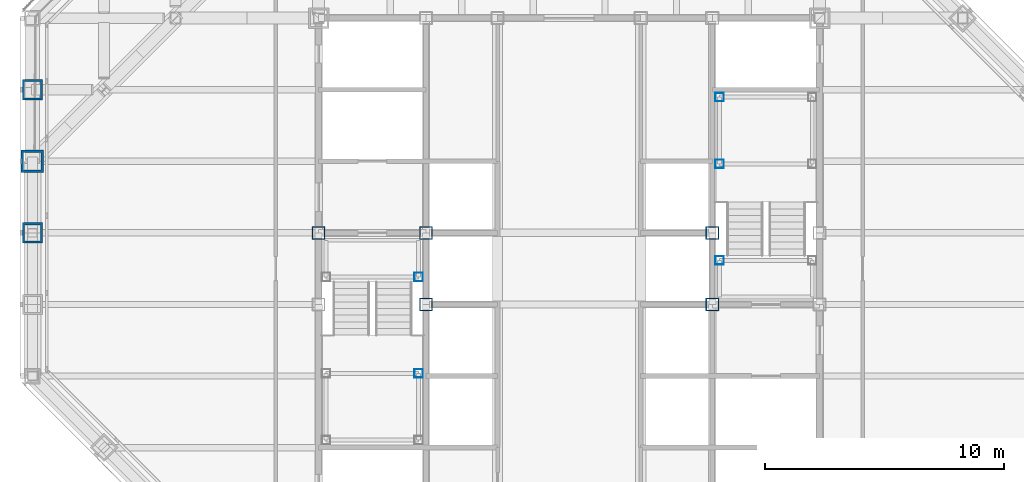
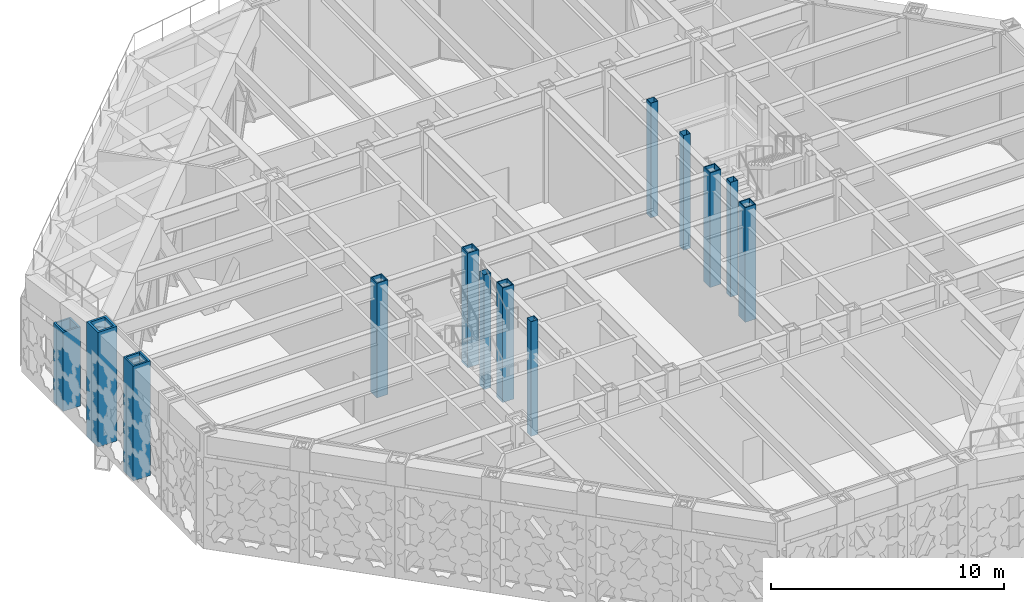
# One storey, part 2 of 29: 13 columns.
"""IFC4 building model written with IfcOpenShell, lengths in metres."""

from ifc_helpers import new_model, si_unit, direction, frame, origin, origin_2d, place, context, subcontext, project, spatial, hollow_rectangle, extrude, material, material_profile, profile_set, type_object, element, save


model = new_model("IFC4")

# Units and contexts
model_context = context("Model", 3, precision=1e-05, world=origin(), true_north=direction((0.0, 1.0)))
body_context = subcontext(model_context, "Body", "Model", "MODEL_VIEW")
ifc_project = project(units=[si_unit("LENGTHUNIT", "METRE"), si_unit("AREAUNIT", "SQUARE_METRE"), si_unit("VOLUMEUNIT", "CUBIC_METRE"), si_unit("PLANEANGLEUNIT", "RADIAN"), si_unit("MASSUNIT", "GRAM", prefix="KILO")], contexts=[model_context])

# Site, building, storey
site_placement = place(None, origin())
site = spatial("IfcSite", under=ifc_project, at=site_placement, CompositionType="ELEMENT")
building_placement = place(site_placement, origin())
building = spatial("IfcBuilding", under=site, at=building_placement, Name="Chuquiago Exchange Tower", CompositionType="ELEMENT")
storey_placement = place(building_placement, frame((0.0, 0.0, 251.699951171875)))
storey = spatial("IfcBuildingStorey", under=building, at=storey_placement, Name="L56", CompositionType="ELEMENT", Elevation=251.699951171875)

# Columns
ifc_material_1 = material(Name="Steel ASTM A572 Grade 50", Category="steel")
ifc_material_profile_1 = material_profile(ifc_material_1, hollow_rectangle(XDim=0.85009765625, YDim=0.85009765625, WallThickness=0.0849609375, at=origin_2d()), Name="BOX850X850X85")
ifc_profile_set_1 = profile_set([ifc_material_profile_1], Name="Steel ASTM A572 Grade 50")
column_type_1 = type_object("IfcColumnType", Name="C6 BOX850X850X85", PredefinedType="COLUMN", material=ifc_profile_set_1)
column_1_placement = place(storey_placement, frame((0.0, 30.0, 0.0), z_axis=(0.0, 0.0, 1.0), x_axis=(-1.0, 0.0, 0.0)))
element("IfcColumn", 1, at=column_1_placement, inside=storey, type_object=column_type_1, Name="COL-L56-0_30", PredefinedType="COLUMN", context=body_context, shape_type="SweptSolid", body=[
    extrude(hollow_rectangle(XDim=0.85009765625, YDim=0.85009765625, WallThickness=0.0849609375, at=origin_2d()), origin(), (0.0, 0.0, 1.0), 4.149169921875),
])
column_2_placement = place(storey_placement, frame((0.0, 24.0, 0.0), z_axis=(0.0, 0.0, 1.0), x_axis=(-1.0, 0.0, 0.0)))
element("IfcColumn", 2, at=column_2_placement, inside=storey, type_object=column_type_1, Name="COL-L56-0_24", PredefinedType="COLUMN", context=body_context, shape_type="SweptSolid", body=[
    extrude(hollow_rectangle(XDim=0.85009765625, YDim=0.85009765625, WallThickness=0.0849609375, at=origin_2d()), origin(), (0.0, 0.0, 1.0), 6.0),
])
ifc_material_2 = material(Name="Steel ASTM A572 Grade 50", Category="steel")
ifc_material_profile_2 = material_profile(ifc_material_2, hollow_rectangle(XDim=0.550048828125, YDim=0.550048828125, WallThickness=0.044921875, at=origin_2d()), Name="BOX550X550X45")
ifc_profile_set_2 = profile_set([ifc_material_profile_2], Name="Steel ASTM A572 Grade 50")
column_type_2 = type_object("IfcColumnType", Name="CC8 BOX550X550X45", PredefinedType="COLUMN", material=ifc_profile_set_2)
for number, where, z_axis, x_axis, name in (
    (3, (12.0, 24.0, 0.0), (0.0, 0.0, 1.0), (1.0, 0.0, 0.0), "CCOL-L56-12_24"),
    (4, (16.5, 21.0, 0.0), (0.0, 0.0, 1.0), (1.0, 0.0, 0.0), "CCOL-L56-16.5_21"),
    (5, (16.5, 24.0, 0.0), (0.0, 0.0, 1.0), (1.0, 0.0, 0.0), "CCOL-L56-16.5_24"),
    (6, (28.5, 21.0, 0.0), (0.0, 0.0, 1.0), (1.0, 0.0, 0.0), "CCOL-L56-28.5_21"),
    (7, (28.5, 24.0, 0.0), (0.0, 0.0, 1.0), (1.0, 0.0, 0.0), "CCOL-L56-28.5_24"),
):
    element("IfcColumn", number, at=place(storey_placement, frame(where, z_axis=z_axis, x_axis=x_axis)), inside=storey, type_object=column_type_2, Name=name, PredefinedType="COLUMN", context=body_context, shape_type="SweptSolid", body=[
        extrude(hollow_rectangle(XDim=0.550048828125, YDim=0.550048828125, WallThickness=0.044921875, at=origin_2d()), origin(), (0.0, 0.0, 1.0), 6.0),
    ])
ifc_material_3 = material(Name="Steel ASTM A572 Grade 42", Category="steel")
ifc_material_profile_3 = material_profile(ifc_material_3, hollow_rectangle(XDim=0.949951171875, YDim=0.949951171875, WallThickness=0.110107421875, at=origin_2d()), Name="BOX950X950X110")
ifc_profile_set_3 = profile_set([ifc_material_profile_3], Name="Steel ASTM A572 Grade 42")
column_type_3 = type_object("IfcColumnType", Name="CT1 BOX950X950X110", PredefinedType="COLUMN", material=ifc_profile_set_3)
column_3_placement = place(storey_placement, frame((0.0, 27.0, 0.0), z_axis=(0.0, 0.0, 1.0), x_axis=(-1.0, 0.0, 0.0)))
element("IfcColumn", 8, at=column_3_placement, inside=storey, type_object=column_type_3, Name="COL-L56-0_27", PredefinedType="COLUMN", context=body_context, shape_type="SweptSolid", body=[
    extrude(hollow_rectangle(XDim=0.949951171875, YDim=0.949951171875, WallThickness=0.110107421875, at=origin_2d()), origin(), (0.0, 0.0, 1.0), 6.0),
])
ifc_material_4 = material(Name="Steel ASTM A500 Grade C", Category="steel")
ifc_material_profile_4 = material_profile(ifc_material_4, hollow_rectangle(XDim=0.355712890625, YDim=0.355712890625, WallThickness=0.0087890625, at=origin_2d()), Name="HSS14X14X3/8")
ifc_profile_set_4 = profile_set([ifc_material_profile_4], Name="Steel ASTM A500 Grade C")
column_type_4 = type_object("IfcColumnType", Name="PT1 HSS14X14X3/8", PredefinedType="COLUMN", material=ifc_profile_set_4)
for number, where, z_axis, x_axis, name in (
    (9, (16.18994140625, 18.110107421875, 0.0), (0.0, 0.0, 1.0), (1.0, 0.0, 0.0), "Stair ST1 L56 landing post"),
    (10, (16.18994140625, 22.14990234375, 0.0), (0.0, 0.0, 1.0), (1.0, 0.0, 0.0), "Stair ST1 L56 landing post"),
    (11, (28.81005859375, 29.68994140625, 0.0), (0.0, 0.0, 1.0), (1.0, 0.0, 0.0), "Stair ST2 L56 landing post"),
    (12, (28.81005859375, 26.889892578125, 0.0), (0.0, 0.0, 1.0), (1.0, 0.0, 0.0), "Stair ST2 L56 landing post"),
    (13, (28.81005859375, 22.85009765625, 0.0), (0.0, 0.0, 1.0), (1.0, 0.0, 0.0), "Stair ST2 L56 landing post"),
):
    element("IfcColumn", number, at=place(storey_placement, frame(where, z_axis=z_axis, x_axis=x_axis)), inside=storey, type_object=column_type_4, Name=name, PredefinedType="COLUMN", context=body_context, shape_type="SweptSolid", body=[
        extrude(hollow_rectangle(XDim=0.355712890625, YDim=0.355712890625, WallThickness=0.0087890625, at=origin_2d()), origin(), (0.0, 0.0, 1.0), 6.0),
    ])

save(model, "model.ifc")
